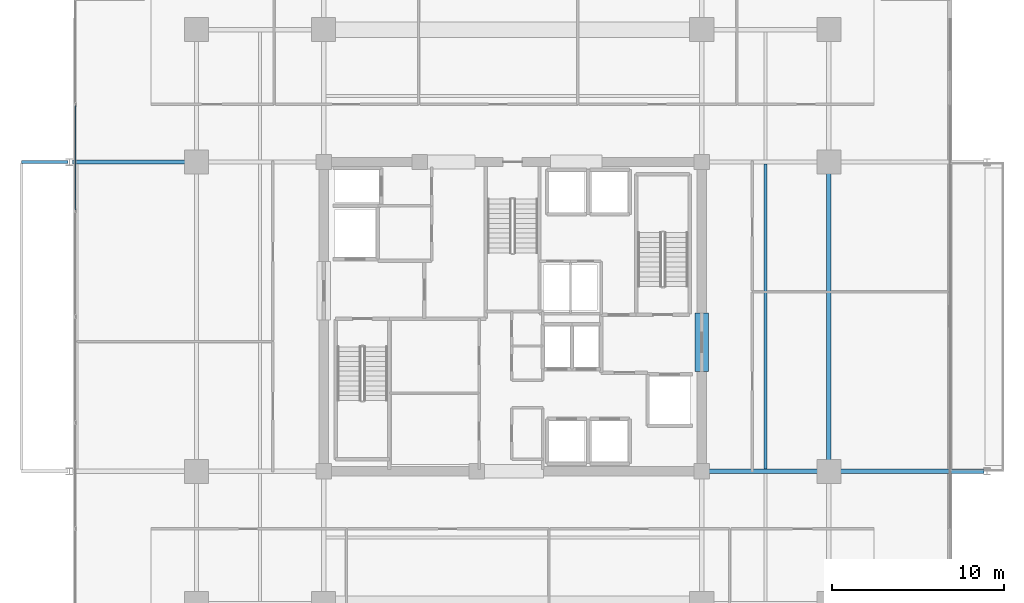
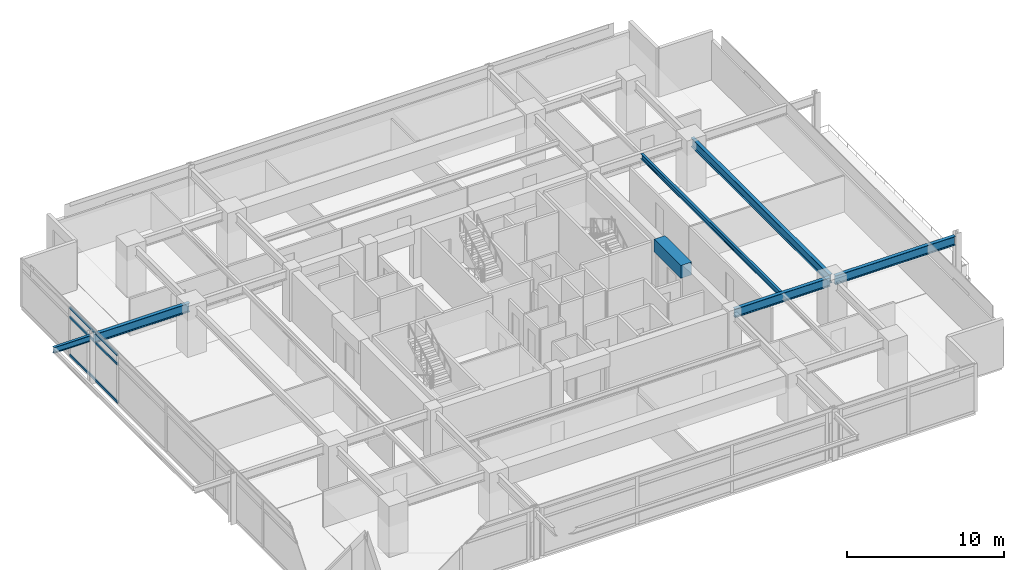
# One storey, part 11 of 21: 7 beams, 3 members, 1 element without a shape of its own.
"""IFC4 building model written with IfcOpenShell, lengths in metres."""

from ifc_helpers import new_model, si_unit, direction, frame, origin, origin_2d, place, context, subcontext, project, spatial, rectangle, hollow_rectangle, i_section, extrude, material, material_profile, profile_set, type_object, element, aggregate, save


model = new_model("IFC4")

# Units and contexts
model_context = context("Model", 3, precision=1e-05, world=origin(), true_north=direction((0.0, 1.0)))
body_context = subcontext(model_context, "Body", "Model", "MODEL_VIEW")
ifc_project = project(units=[si_unit("LENGTHUNIT", "METRE"), si_unit("AREAUNIT", "SQUARE_METRE"), si_unit("VOLUMEUNIT", "CUBIC_METRE"), si_unit("PLANEANGLEUNIT", "RADIAN"), si_unit("MASSUNIT", "GRAM", prefix="KILO")], contexts=[model_context])

# Site, building, storey
site_placement = place(None, origin())
site = spatial("IfcSite", under=ifc_project, at=site_placement, CompositionType="ELEMENT")
building_placement = place(site_placement, origin())
building = spatial("IfcBuilding", under=site, at=building_placement, Name="Kovane Verandah Tower", CompositionType="ELEMENT")
storey_placement = place(building_placement, frame((0.0, 0.0, 217.199951171875)))
storey = spatial("IfcBuildingStorey", under=building, at=storey_placement, Name="L50", CompositionType="ELEMENT", Elevation=217.199951171875)

# Beams
ifc_material_1 = material(Name="Concrete C60/75", Category="concrete")
ifc_material_profile_1 = material_profile(ifc_material_1, rectangle(XDim=0.800048828125, YDim=1.0, at=origin_2d()), Name="RCB800x1000")
ifc_profile_set_1 = profile_set([ifc_material_profile_1], Name="Concrete C60/75")
beam_type_1 = type_object("IfcBeamType", Name="BM-LINTEL-800x1000", PredefinedType="LINTEL", material=ifc_profile_set_1)
beam_1_placement = place(storey_placement, frame((51.0, 24.300048828125, 3.275146484375), z_axis=(0.0, 1.0, 0.0), x_axis=(-1.0, 0.0, 0.0)))
element("IfcBeam", 1, at=beam_1_placement, inside=storey, type_object=beam_type_1, Name="L50 Core Coupling Lintel CL-E", PredefinedType="LINTEL", context=body_context, shape_type="SweptSolid", body=[
    extrude(rectangle(XDim=0.800048828125, YDim=1.0, at=origin_2d()), origin(), (0.0, 0.0, 1.0), 3.39990234375),
])
ifc_material_2 = material(Name="Steel S355", Category="steel")
ifc_material_profile_2 = material_profile(ifc_material_2, i_section(OverallWidth=0.255859375, OverallDepth=0.69287109375, WebThickness=0.014404296875, FlangeThickness=0.023681640625, FilletRadius=0.01513671875, at=origin_2d()), Name="UB686x254x170")
ifc_profile_set_2 = profile_set([ifc_material_profile_2], Name="Steel S355")
beam_type_2 = type_object("IfcBeamType", Name="BM-UB686x170", PredefinedType="BEAM", material=ifc_profile_set_2)
beam_2_placement = place(storey_placement, frame((58.39990234375, 18.679931640625, 3.428466796875), z_axis=(0.0, 1.0, 0.0), x_axis=(-1.0, 0.0, 0.0)))
element("IfcBeam", 2, at=beam_2_placement, inside=storey, type_object=beam_type_2, Name="L50 Primary Tower Girder G-RE2", PredefinedType="BEAM", context=body_context, shape_type="SweptSolid", body=[
    extrude(i_section(OverallWidth=0.255859375, OverallDepth=0.69287109375, WebThickness=0.014404296875, FlangeThickness=0.023681640625, FilletRadius=0.01513671875, at=origin_2d()), origin(), (0.0, 0.0, 1.0), 17.64013671875),
])
for number, where, z_axis, x_axis, name in (
    (3, (51.179931640625, 18.5, 3.428466796875), (1.0, 0.0, 0.0), (0.0, 1.0, 0.0), "L50 Primary Tower Girder G-E1"),
    (4, (21.419921875, 36.5, 3.41357421875), (-1.0, 0.0, 0.0), (0.0, -1.0, 0.0), "L50 Primary Tower Girder G-VW2"),
):
    element("IfcBeam", number, at=place(storey_placement, frame(where, z_axis=z_axis, x_axis=x_axis)), inside=storey, type_object=beam_type_2, Name=name, PredefinedType="BEAM", context=body_context, shape_type="SweptSolid", body=[
        extrude(i_section(OverallWidth=0.255859375, OverallDepth=0.69287109375, WebThickness=0.014404296875, FlangeThickness=0.023681640625, FilletRadius=0.01513671875, at=origin_2d()), origin(), (0.0, 0.0, 1.0), 7.0400390625),
    ])
beam_3_placement = place(storey_placement, frame((58.580078125, 18.5, 3.41357421875), z_axis=(1.0, 0.0, 0.0), x_axis=(0.0, 1.0, 0.0)))
element("IfcBeam", 5, at=beam_3_placement, inside=storey, type_object=beam_type_2, Name="L50 Primary Tower Girder G-VE1", PredefinedType="BEAM", context=body_context, shape_type="SweptSolid", body=[
    extrude(i_section(OverallWidth=0.255859375, OverallDepth=0.69287109375, WebThickness=0.014404296875, FlangeThickness=0.023681640625, FilletRadius=0.01513671875, at=origin_2d()), origin(), (0.0, 0.0, 1.0), 8.83984375),
])

# Curtain wall, members
ifc_material_3 = material(Name="Champagne Anodised Aluminium Frame with Low-E Clear Laminated Glass", Category="aluminium")
curtain_wall_type = type_object("IfcCurtainWallType", Name="CW-SYS-03-MID", PredefinedType="NOTDEFINED", material=ifc_material_3)
curtain_wall_placement = place(storey_placement, origin())
curtain_wall = element("IfcCurtainWall", 6, at=curtain_wall_placement, inside=storey, type_object=curtain_wall_type, Name="L50 W Unitised Curtain Wall", PredefinedType="NOTDEFINED")
ifc_material_4 = material(Name="Champagne Anodised Aluminium 6063-T6", Category="aluminium")
ifc_material_profile_3 = material_profile(ifc_material_4, hollow_rectangle(XDim=0.0849609375, YDim=0.18994140625, WallThickness=0.00390625, at=origin_2d()), Name="AL85x190x4")
ifc_profile_set_3 = profile_set([ifc_material_profile_3], Name="Champagne Anodised Aluminium 6063-T6")
member_type = type_object("IfcMemberType", Name="CW-TRN-85x190", PredefinedType="USERDEFINED", material=ifc_profile_set_3)
member_1_placement = place(storey_placement, frame((14.5625, 39.79296875, 0.050048828125), z_axis=(0.0, -1.0, 0.0), x_axis=(1.0, 0.0, 0.0)))
member_1 = element("IfcMember", 7, at=member_1_placement, type_object=member_type, Name="L50 W Unitised Curtain Wall Transom TB Bay 2", ObjectType="TRANSOM", PredefinedType="USERDEFINED", context=body_context, shape_type="SweptSolid", body=[
    extrude(hollow_rectangle(XDim=0.0849609375, YDim=0.18994140625, WallThickness=0.00390625, at=origin_2d()), origin(), (0.0, 0.0, 1.0), 6.071533203125),
])
member_2_placement = place(storey_placement, frame((14.5625, 39.79296875, 2.9951171875), z_axis=(0.0, -1.0, 0.0), x_axis=(1.0, 0.0, 0.0)))
member_2 = element("IfcMember", 8, at=member_2_placement, type_object=member_type, Name="L50 W Unitised Curtain Wall Transom TM Bay 2", ObjectType="TRANSOM", PredefinedType="USERDEFINED", context=body_context, shape_type="SweptSolid", body=[
    extrude(hollow_rectangle(XDim=0.0849609375, YDim=0.18994140625, WallThickness=0.00390625, at=origin_2d()), origin(), (0.0, 0.0, 1.0), 6.071533203125),
])
member_3_placement = place(storey_placement, frame((14.5625, 39.79296875, 3.72509765625), z_axis=(0.0, -1.0, 0.0), x_axis=(1.0, 0.0, 0.0)))
member_3 = element("IfcMember", 9, at=member_3_placement, type_object=member_type, Name="L50 W Unitised Curtain Wall Transom TT Bay 2", ObjectType="TRANSOM", PredefinedType="USERDEFINED", context=body_context, shape_type="SweptSolid", body=[
    extrude(hollow_rectangle(XDim=0.0849609375, YDim=0.18994140625, WallThickness=0.00390625, at=origin_2d()), origin(), (0.0, 0.0, 1.0), 6.071533203125),
])
aggregate(curtain_wall, [member_1, member_2, member_3])

# Beams
ifc_material_profile_4 = material_profile(ifc_material_2, i_section(OverallWidth=0.179443359375, OverallDepth=0.412841796875, WebThickness=0.009521484375, FlangeThickness=0.01611328125, FilletRadius=0.01025390625, at=origin_2d()), Name="UB406x178x74")
ifc_profile_set_4 = profile_set([ifc_material_profile_4], Name="Steel S355")
beam_type_3 = type_object("IfcBeamType", Name="JST-UB406x74", PredefinedType="JOIST", material=ifc_profile_set_4)
beam_4_placement = place(storey_placement, frame((54.699951171875, 18.6259765625, 3.568603515625), z_axis=(0.0, 1.0, 0.0), x_axis=(-1.0, 0.0, 0.0)))
element("IfcBeam", 10, at=beam_4_placement, inside=storey, type_object=beam_type_3, Name="L50 Secondary Composite Joist J-E1", PredefinedType="JOIST", context=body_context, shape_type="SweptSolid", body=[
    extrude(i_section(OverallWidth=0.179443359375, OverallDepth=0.412841796875, WebThickness=0.009521484375, FlangeThickness=0.01611328125, FilletRadius=0.01025390625, at=origin_2d()), origin(), (0.0, 0.0, 1.0), 17.748046875),
])
ifc_material_profile_5 = material_profile(ifc_material_2, i_section(OverallWidth=0.19287109375, OverallDepth=0.46728515625, WebThickness=0.011474609375, FlangeThickness=0.01953125, FilletRadius=0.01025390625, at=origin_2d()), Name="UB457x191x98")
ifc_profile_set_5 = profile_set([ifc_material_profile_5], Name="Steel S355")
beam_type_4 = type_object("IfcBeamType", Name="JST-UB457x98", PredefinedType="JOIST", material=ifc_profile_set_5)
beam_5_placement = place(storey_placement, frame((14.1201171875, 36.5, 3.5263671875), z_axis=(-1.0, 0.0, 0.0), x_axis=(0.0, -1.0, 0.0)))
element("IfcBeam", 11, at=beam_5_placement, inside=storey, type_object=beam_type_4, Name="L50 West Planter Girder 2", PredefinedType="JOIST", context=body_context, shape_type="SweptSolid", body=[
    extrude(i_section(OverallWidth=0.19287109375, OverallDepth=0.46728515625, WebThickness=0.011474609375, FlangeThickness=0.01953125, FilletRadius=0.01025390625, at=origin_2d()), origin(), (0.0, 0.0, 1.0), 2.701416015625),
])

save(model, "model.ifc")
